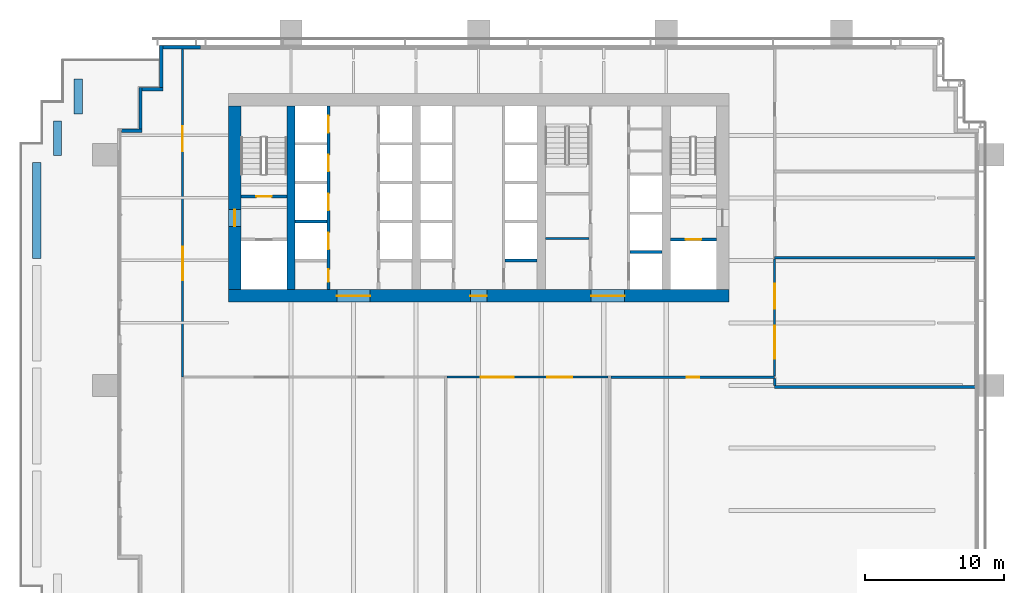
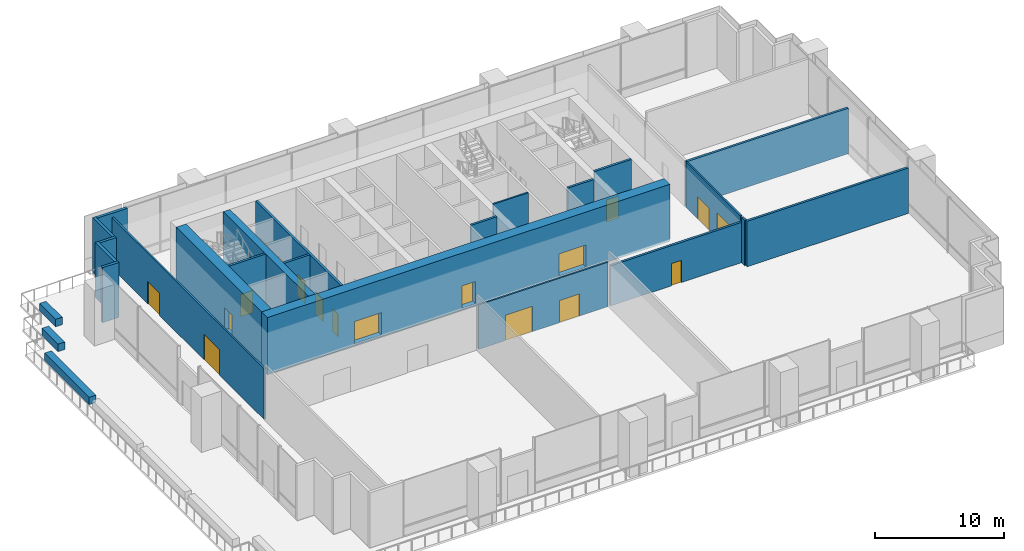
# One storey, part 8 of 15: 25 walls, 15 doors, 3 windows, 18 openings.
"""IFC4 building model written with IfcOpenShell, lengths in metres."""

from ifc_helpers import new_model, si_unit, direction, frame, frame_2d, origin, place, context, subcontext, project, spatial, rectangle, extrude, material, layer, layer_set, type_object, element, fill, save


model = new_model("IFC4")

# Units and contexts
model_context = context("Model", 3, precision=1e-05, world=origin(), true_north=direction((0.0, 1.0)))
body_context = subcontext(model_context, "Body", "Model", "MODEL_VIEW")
ifc_project = project(units=[si_unit("LENGTHUNIT", "METRE"), si_unit("AREAUNIT", "SQUARE_METRE"), si_unit("VOLUMEUNIT", "CUBIC_METRE"), si_unit("PLANEANGLEUNIT", "RADIAN"), si_unit("MASSUNIT", "GRAM", prefix="KILO")], contexts=[model_context])

# Site, building, storey
site_placement = place(None, origin())
site = spatial("IfcSite", under=ifc_project, at=site_placement, CompositionType="ELEMENT")
building_placement = place(site_placement, origin())
building = spatial("IfcBuilding", under=site, at=building_placement, Name="Rattan Terrace Tower", CompositionType="ELEMENT")
storey_placement = place(building_placement, frame((0.0, 0.0, 74.300048828125)))
storey = spatial("IfcBuildingStorey", under=building, at=storey_placement, Name="L16", CompositionType="ELEMENT", Elevation=74.300048828125)

# Wall
ifc_material_1 = material(Name="Gypsum board partition")
ifc_layer_1 = layer(ifc_material_1, 0.14990234375)
ifc_layer_set_1 = layer_set([ifc_layer_1], Name="Core partition 150")
wall_type_1 = type_object("IfcWallType", Name="Core partition 150", PredefinedType="PARTITIONING", material=ifc_layer_set_1)
wall_1_placement = place(storey_placement, frame((4.800048828125, -2.927978515625, 0.0), z_axis=(0.0, 0.0, 1.0), x_axis=(1.0, 0.0, 0.0)))
element("IfcWall", 1, at=wall_1_placement, inside=storey, type_object=wall_type_1, Name="Toilet wall", PredefinedType="PARTITIONING", context=body_context, shape_type="SweptSolid", body=[
    extrude(rectangle(XDim=3.14990234375, YDim=0.14990234375, at=frame_2d((1.574951171875, 0.0))), origin(), (0.0, 0.0, 1.0), 5.199951171875),
])

# Wall, opening, door
ifc_material_2 = material(Name="Gypsum board partition")
ifc_layer_2 = layer(ifc_material_2, 0.199951171875)
ifc_layer_set_2 = layer_set([ifc_layer_2], Name="Core partition 200")
wall_type_2 = type_object("IfcWallType", Name="Core partition 200", PredefinedType="PARTITIONING", material=ifc_layer_set_2)
wall_2_placement = place(storey_placement, frame((-17.10009765625, 0.10009765625, 0.0), z_axis=(0.0, 0.0, 1.0), x_axis=(1.0, 0.0, 0.0)))
wall_2 = element("IfcWall", 2, at=wall_2_placement, inside=storey, type_object=wall_type_2, Name="Stair enclosure wall", PredefinedType="PARTITIONING", context=body_context, shape_type="SweptSolid", body=[
    extrude(rectangle(XDim=3.300048828125, YDim=0.199951171875, at=frame_2d((1.64990234375, 0.0))), origin(), (0.0, 0.0, 1.0), 5.199951171875),
])
opening_1_placement = place(wall_2_placement, frame((1.10009765625, 0.0, 0.0)))
opening_1 = element("IfcOpeningElement", 3, at=opening_1_placement, cuts=wall_2, Name="Opening L16-D002", PredefinedType="OPENING", context=body_context, shape_type="SweptSolid", body=[
    extrude(rectangle(XDim=1.10009765625, YDim=2.10009765625, at=frame_2d((0.550048828125, 1.050048828125))), frame((0.0, 0.110595703125, 0.0), z_axis=(0.0, -1.0, 0.0), x_axis=(1.0, 0.0, 0.0)), (0.0, 0.0, 1.0), 0.220947265625),
])
ifc_material_3 = material(Name="Hollow-metal fire door leaf")
door_type_1 = type_object("IfcDoorType", Name="Core stair door 1100", OperationType="NOTDEFINED", PredefinedType="DOOR", material=ifc_material_3)
door_1_placement = place(opening_1_placement, origin())
door_1 = element("IfcDoor", 4, at=door_1_placement, inside=storey, type_object=door_type_1, Name="Door L16-D002", OperationType="SINGLE_SWING_RIGHT", OverallHeight=2.10009765625, OverallWidth=1.10009765625, PredefinedType="DOOR", context=body_context, shape_type="SweptSolid", body=[
    extrude(rectangle(XDim=1.10009765625, YDim=2.10009765625, at=frame_2d((0.550048828125, 1.050048828125))), frame((0.0, 0.02490234375, 0.0), z_axis=(0.0, -1.0, 0.0), x_axis=(1.0, 0.0, 0.0)), (0.0, 0.0, 1.0), 0.050048828125),
])
fill(opening_1, door_1)

wall_3_placement = place(storey_placement, frame((13.800048828125, -3.0, 0.0), z_axis=(0.0, 0.0, 1.0), x_axis=(1.0, 0.0, 0.0)))
wall_3 = element("IfcWall", 5, at=wall_3_placement, inside=storey, type_object=wall_type_2, Name="Fire-fighting lobby wall", PredefinedType="PARTITIONING", context=body_context, shape_type="SweptSolid", body=[
    extrude(rectangle(XDim=3.300048828125, YDim=0.199951171875, at=frame_2d((1.64990234375, 0.0))), origin(), (0.0, 0.0, 1.0), 5.199951171875),
])
opening_2_placement = place(wall_3_placement, frame((1.10009765625, 0.0, 0.0)))
opening_2 = element("IfcOpeningElement", 6, at=opening_2_placement, cuts=wall_3, Name="Opening L16-LD-FF2", PredefinedType="OPENING", context=body_context, shape_type="SweptSolid", body=[
    extrude(rectangle(XDim=1.10009765625, YDim=2.10009765625, at=frame_2d((0.550048828125, 1.050048828125))), frame((0.0, 0.110595703125, 0.0), z_axis=(0.0, -1.0, 0.0), x_axis=(1.0, 0.0, 0.0)), (0.0, 0.0, 1.0), 0.220947265625),
])
ifc_material_4 = material(Name="Brushed stainless landing door panel")
door_type_2 = type_object("IfcDoorType", Name="Core lift landing door 1100", OperationType="DOUBLE_DOOR_SLIDING", PredefinedType="DOOR", material=ifc_material_4)
door_2_placement = place(opening_2_placement, origin())
door_2 = element("IfcDoor", 7, at=door_2_placement, inside=storey, type_object=door_type_2, Name="Door L16-LD-FF2", OperationType="DOUBLE_DOOR_SLIDING", OverallHeight=2.10009765625, OverallWidth=1.10009765625, PredefinedType="DOOR", context=body_context, shape_type="SweptSolid", body=[
    extrude(rectangle(XDim=1.10009765625, YDim=2.10009765625, at=frame_2d((0.550048828125, 1.050048828125))), frame((0.0, 0.02490234375, 0.0), z_axis=(0.0, -1.0, 0.0), x_axis=(1.0, 0.0, 0.0)), (0.0, 0.0, 1.0), 0.050048828125),
])
fill(opening_2, door_2)

# Wall, openings, doors
ifc_material_5 = material(Name="Concrete C70/85", Category="concrete")
ifc_layer_3 = layer(ifc_material_5, 0.89990234375)
ifc_layer_set_3 = layer_set([ifc_layer_3], Name="Core ring wall 900 C70/85")
wall_type_3 = type_object("IfcWallType", Name="Core ring wall 900 C70/85", PredefinedType="SHEAR", material=ifc_layer_set_3)
wall_4_placement = place(storey_placement, frame((-18.0, -7.050048828125, -0.199951171875), z_axis=(0.0, 0.0, 1.0), x_axis=(1.0, 0.0, 0.0)))
wall_4 = element("IfcWall", 8, at=wall_4_placement, inside=storey, type_object=wall_type_3, Name="Rear core wall south", PredefinedType="SHEAR", context=body_context, shape_type="SweptSolid", body=[
    extrude(rectangle(XDim=36.0, YDim=0.89990234375, at=frame_2d((18.0, 0.0))), origin(), (0.0, 0.0, 1.0), 5.39990234375),
])
opening_3_placement = place(wall_4_placement, frame((7.800048828125, 0.0, 0.199951171875)))
opening_3 = element("IfcOpeningElement", 9, at=opening_3_placement, cuts=wall_4, Name="Opening L16-D007", PredefinedType="OPENING", context=body_context, shape_type="SweptSolid", body=[
    extrude(rectangle(XDim=2.39990234375, YDim=2.10009765625, at=frame_2d((1.199951171875, 1.050048828125))), frame((0.0, 0.46044921875, 0.0), z_axis=(0.0, -1.0, 0.0), x_axis=(1.0, 0.0, 0.0)), (0.0, 0.0, 1.0), 0.9208984375),
])
opening_4_placement = place(wall_4_placement, frame((17.39990234375, 0.0, 0.199951171875)))
opening_4 = element("IfcOpeningElement", 10, at=opening_4_placement, cuts=wall_4, Name="Opening L16-D010", PredefinedType="OPENING", context=body_context, shape_type="SweptSolid", body=[
    extrude(rectangle(XDim=1.199951171875, YDim=2.10009765625, at=frame_2d((0.60009765625, 1.050048828125))), frame((0.0, 0.46044921875, 0.0), z_axis=(0.0, -1.0, 0.0), x_axis=(1.0, 0.0, 0.0)), (0.0, 0.0, 1.0), 0.9208984375),
])
opening_5_placement = place(wall_4_placement, frame((26.10009765625, 0.0, 0.199951171875)))
opening_5 = element("IfcOpeningElement", 11, at=opening_5_placement, cuts=wall_4, Name="Opening L16-D014", PredefinedType="OPENING", context=body_context, shape_type="SweptSolid", body=[
    extrude(rectangle(XDim=2.39990234375, YDim=2.10009765625, at=frame_2d((1.199951171875, 1.050048828125))), frame((0.0, 0.46044921875, 0.0), z_axis=(0.0, -1.0, 0.0), x_axis=(1.0, 0.0, 0.0)), (0.0, 0.0, 1.0), 0.9208984375),
])
ifc_material_6 = material(Name="Hollow-metal fire door leaf")
door_type_3 = type_object("IfcDoorType", Name="Core lift lobby door 2400", OperationType="NOTDEFINED", PredefinedType="DOOR", material=ifc_material_6)
door_3_placement = place(opening_3_placement, origin())
door_3 = element("IfcDoor", 12, at=door_3_placement, inside=storey, type_object=door_type_3, Name="Door L16-D007", OperationType="DOUBLE_DOOR_DOUBLE_SWING", OverallHeight=2.10009765625, OverallWidth=2.39990234375, PredefinedType="DOOR", context=body_context, shape_type="SweptSolid", body=[
    extrude(rectangle(XDim=2.39990234375, YDim=2.10009765625, at=frame_2d((1.199951171875, 1.050048828125))), frame((0.0, 0.02490234375, 0.0), z_axis=(0.0, -1.0, 0.0), x_axis=(1.0, 0.0, 0.0)), (0.0, 0.0, 1.0), 0.050048828125),
])
fill(opening_3, door_3)
door_4_placement = place(opening_5_placement, origin())
door_4 = element("IfcDoor", 13, at=door_4_placement, inside=storey, type_object=door_type_3, Name="Door L16-D014", OperationType="DOUBLE_DOOR_DOUBLE_SWING", OverallHeight=2.10009765625, OverallWidth=2.39990234375, PredefinedType="DOOR", context=body_context, shape_type="SweptSolid", body=[
    extrude(rectangle(XDim=2.39990234375, YDim=2.10009765625, at=frame_2d((1.199951171875, 1.050048828125))), frame((0.0, 0.02490234375, 0.0), z_axis=(0.0, -1.0, 0.0), x_axis=(1.0, 0.0, 0.0)), (0.0, 0.0, 1.0), 0.050048828125),
])
fill(opening_5, door_4)
ifc_material_7 = material(Name="Hollow-metal fire door leaf")
door_type_4 = type_object("IfcDoorType", Name="Core riser door 1200", OperationType="NOTDEFINED", PredefinedType="DOOR", material=ifc_material_7)
door_5_placement = place(opening_4_placement, origin())
door_5 = element("IfcDoor", 14, at=door_5_placement, inside=storey, type_object=door_type_4, Name="Door L16-D010", OperationType="SINGLE_SWING_LEFT", OverallHeight=2.10009765625, OverallWidth=1.199951171875, PredefinedType="DOOR", context=body_context, shape_type="SweptSolid", body=[
    extrude(rectangle(XDim=1.199951171875, YDim=2.10009765625, at=frame_2d((0.60009765625, 1.050048828125))), frame((0.0, 0.02490234375, 0.0), z_axis=(0.0, -1.0, 0.0), x_axis=(1.0, 0.0, 0.0)), (0.0, 0.0, 1.0), 0.050048828125),
])
fill(opening_4, door_5)

# Wall, opening, door
wall_5_placement = place(storey_placement, frame((-17.550048828125, -6.60009765625, -0.199951171875), z_axis=(0.0, 0.0, 1.0), x_axis=(0.0, 1.0, 0.0)))
wall_5 = element("IfcWall", 15, at=wall_5_placement, inside=storey, type_object=wall_type_3, Name="Rear core wall west", PredefinedType="SHEAR", context=body_context, shape_type="SweptSolid", body=[
    extrude(rectangle(XDim=13.2001953125, YDim=0.89990234375, at=frame_2d((6.60009765625, 0.0))), origin(), (0.0, 0.0, 1.0), 5.39990234375),
])
opening_6_placement = place(wall_5_placement, frame((4.550048828125, 0.0, 0.199951171875)))
opening_6 = element("IfcOpeningElement", 16, at=opening_6_placement, cuts=wall_5, Name="Opening L16-D001", PredefinedType="OPENING", context=body_context, shape_type="SweptSolid", body=[
    extrude(rectangle(XDim=1.199951171875, YDim=2.10009765625, at=frame_2d((0.60009765625, 1.050048828125))), frame((0.0, 0.46044921875, 0.0), z_axis=(0.0, -1.0, 0.0), x_axis=(1.0, 0.0, 0.0)), (0.0, 0.0, 1.0), 0.9208984375),
])
ifc_material_8 = material(Name="Hollow-metal fire door leaf")
door_type_5 = type_object("IfcDoorType", Name="Core fire-fighting lobby door 1200", OperationType="NOTDEFINED", PredefinedType="DOOR", material=ifc_material_8)
door_6_placement = place(opening_6_placement, origin())
door_6 = element("IfcDoor", 17, at=door_6_placement, inside=storey, type_object=door_type_5, Name="Door L16-D001", OperationType="SINGLE_SWING_LEFT", OverallHeight=2.10009765625, OverallWidth=1.199951171875, PredefinedType="DOOR", context=body_context, shape_type="SweptSolid", body=[
    extrude(rectangle(XDim=1.199951171875, YDim=2.10009765625, at=frame_2d((0.60009765625, 1.050048828125))), frame((0.0, 0.02490234375, 0.0), z_axis=(0.0, -1.0, 0.0), x_axis=(1.0, 0.0, 0.0)), (0.0, 0.0, 1.0), 0.050048828125),
])
fill(opening_6, door_6)

# Walls
ifc_material_9 = material(Name="Concrete C70/85", Category="concrete")
ifc_layer_4 = layer(ifc_material_9, 0.60009765625)
ifc_layer_set_4 = layer_set([ifc_layer_4], Name="Core spine wall 600 C70/85")
wall_type_4 = type_object("IfcWallType", Name="Core spine wall 600 C70/85", PredefinedType="SHEAR", material=ifc_layer_set_4)
wall_6_placement = place(storey_placement, frame((-13.5, -6.60009765625, -0.199951171875), z_axis=(0.0, 0.0, 1.0), x_axis=(0.0, 1.0, 0.0)))
element("IfcWall", 18, at=wall_6_placement, inside=storey, type_object=wall_type_4, Name="Core spine wall 1", PredefinedType="SHEAR", context=body_context, shape_type="SweptSolid", body=[
    extrude(rectangle(XDim=13.2001953125, YDim=0.60009765625, at=frame_2d((6.60009765625, 0.0))), origin(), (0.0, 0.0, 1.0), 5.39990234375),
])
ifc_material_10 = material(Name="Precast concrete C30/37", Category="concrete")
ifc_layer_5 = layer(ifc_material_10, 0.60009765625)
ifc_layer_set_5 = layer_set([ifc_layer_5], Name="Facade Planter Wall 600")
wall_type_5 = type_object("IfcWallType", Name="Facade Planter Wall 600", PredefinedType="SOLIDWALL", material=ifc_layer_set_5)
wall_7_placement = place(storey_placement, frame((-31.800048828125, -4.35009765625, 0.0), z_axis=(0.0, 0.0, 1.0), x_axis=(0.0, 1.0, 0.0)))
element("IfcWall", 19, at=wall_7_placement, inside=storey, type_object=wall_type_5, Name="PLANTER bed L16-6", PredefinedType="SOLIDWALL", context=body_context, shape_type="SweptSolid", body=[
    extrude(rectangle(XDim=6.900146484375, YDim=0.60009765625, at=frame_2d((3.4501953125, 0.0))), origin(), (0.0, 0.0, 1.0), 0.699951171875),
])
for number, where, z_axis, x_axis, name in (
    (20, (-30.300048828125, 3.050048828125, 0.0), (0.0, 0.0, 1.0), (0.0, 1.0, 0.0), "PLANTER bed L16-7"),
    (21, (-28.800048828125, 6.050048828125, 0.0), (0.0, 0.0, 1.0), (0.0, 1.0, 0.0), "PLANTER bed L16-8"),
):
    element("IfcWall", number, at=place(storey_placement, frame(where, z_axis=z_axis, x_axis=x_axis)), inside=storey, type_object=wall_type_5, Name=name, PredefinedType="SOLIDWALL", context=body_context, shape_type="SweptSolid", body=[
        extrude(rectangle(XDim=2.5, YDim=0.60009765625, at=frame_2d((1.25, 0.0))), origin(), (0.0, 0.0, 1.0), 0.699951171875),
    ])
ifc_material_11 = material(Name="Insulated aluminium-clad stud wall", Category="aluminium")
ifc_layer_6 = layer(ifc_material_11, 0.25)
ifc_layer_set_6 = layer_set([ifc_layer_6], Name="Facade Riser Wall 250")
wall_type_6 = type_object("IfcWallType", Name="Facade Riser Wall 250", PredefinedType="SOLIDWALL", material=ifc_layer_set_6)
wall_8_placement = place(storey_placement, frame((-20.0, 10.830078125, 0.0), z_axis=(0.0, 0.0, 1.0), x_axis=(-1.0, 0.0, 0.0)))
element("IfcWall", 22, at=wall_8_placement, inside=storey, type_object=wall_type_6, Name="Riser wall L16-11", PredefinedType="SOLIDWALL", context=body_context, shape_type="SweptSolid", body=[
    extrude(rectangle(XDim=2.705078125, YDim=0.25, at=frame_2d((1.3525390625, 0.0))), origin(), (0.0, 0.0, 1.0), 5.199951171875),
])
wall_9_placement = place(storey_placement, frame((-22.830078125, 10.955078125, 0.0), z_axis=(0.0, 0.0, 1.0), x_axis=(0.0, -1.0, 0.0)))
element("IfcWall", 23, at=wall_9_placement, inside=storey, type_object=wall_type_6, Name="Riser wall L16-12", PredefinedType="SOLIDWALL", context=body_context, shape_type="SweptSolid", body=[
    extrude(rectangle(XDim=3.0, YDim=0.25, at=frame_2d((1.5, 0.0))), origin(), (0.0, 0.0, 1.0), 5.199951171875),
])
wall_10_placement = place(storey_placement, frame((-22.705078125, 7.830078125, 0.0), z_axis=(0.0, 0.0, 1.0), x_axis=(-1.0, 0.0, 0.0)))
element("IfcWall", 24, at=wall_10_placement, inside=storey, type_object=wall_type_6, Name="Riser wall L16-13", PredefinedType="SOLIDWALL", context=body_context, shape_type="SweptSolid", body=[
    extrude(rectangle(XDim=1.5, YDim=0.25, at=frame_2d((0.75, 0.0))), origin(), (0.0, 0.0, 1.0), 5.199951171875),
])
wall_11_placement = place(storey_placement, frame((-24.330078125, 7.955078125, 0.0), z_axis=(0.0, 0.0, 1.0), x_axis=(0.0, -1.0, 0.0)))
element("IfcWall", 25, at=wall_11_placement, inside=storey, type_object=wall_type_6, Name="Riser wall L16-14", PredefinedType="SOLIDWALL", context=body_context, shape_type="SweptSolid", body=[
    extrude(rectangle(XDim=3.0, YDim=0.25, at=frame_2d((1.5, 0.0))), origin(), (0.0, 0.0, 1.0), 5.199951171875),
])
wall_12_placement = place(storey_placement, frame((-24.205078125, 4.830078125, 0.0), z_axis=(0.0, 0.0, 1.0), x_axis=(-1.0, 0.0, 0.0)))
element("IfcWall", 26, at=wall_12_placement, inside=storey, type_object=wall_type_6, Name="Riser wall L16-15", PredefinedType="SOLIDWALL", context=body_context, shape_type="SweptSolid", body=[
    extrude(rectangle(XDim=1.474853515625, YDim=0.25, at=frame_2d((0.7373046875, 0.0))), origin(), (0.0, 0.0, 1.0), 5.199951171875),
])

# Wall, opening, door
ifc_material_12 = material(Name="Concrete block wall, plastered", Category="concrete")
ifc_layer_7 = layer(ifc_material_12, 0.199951171875)
ifc_layer_set_7 = layer_set([ifc_layer_7], Name="Floors Plant Wall 200")
wall_type_7 = type_object("IfcWallType", Name="Floors Plant Wall 200", PredefinedType="PARTITIONING", material=ifc_layer_set_7)
wall_13_placement = place(storey_placement, frame((21.300048828125, -12.89990234375, 0.0), z_axis=(0.0, 0.0, 1.0), x_axis=(-1.0, 0.0, 0.0)))
wall_13 = element("IfcWall", 27, at=wall_13_placement, inside=storey, type_object=wall_type_7, Name="pt-L16-004", PredefinedType="PARTITIONING", context=body_context, shape_type="SweptSolid", body=[
    extrude(rectangle(XDim=11.7880859375, YDim=0.199951171875, at=frame_2d((5.89404296875, 0.0))), origin(), (0.0, 0.0, 1.0), 3.800048828125),
])
opening_7_placement = place(wall_13_placement, frame((5.444091796875, 0.0, 0.0)))
opening_7 = element("IfcOpeningElement", 28, at=opening_7_placement, cuts=wall_13, Name="Opening L16-D103", PredefinedType="OPENING", context=body_context, shape_type="SweptSolid", body=[
    extrude(rectangle(XDim=0.89990234375, YDim=2.10009765625, at=frame_2d((0.449951171875, 1.050048828125))), frame((0.0, 0.110595703125, 0.0), z_axis=(0.0, -1.0, 0.0), x_axis=(1.0, 0.0, 0.0)), (0.0, 0.0, 1.0), 0.220947265625),
])
ifc_material_13 = material(Name="Steel fire door set", Category="steel")
door_type_6 = type_object("IfcDoorType", Name="Floors Fire Door FD60 900x2100", OperationType="NOTDEFINED", PredefinedType="DOOR", material=ifc_material_13)
door_7_placement = place(opening_7_placement, origin())
door_7 = element("IfcDoor", 29, at=door_7_placement, inside=storey, type_object=door_type_6, Name="d-L16-103", OperationType="SINGLE_SWING_RIGHT", OverallHeight=2.10009765625, OverallWidth=0.89990234375, PredefinedType="DOOR", context=body_context, shape_type="SweptSolid", body=[
    extrude(rectangle(XDim=0.89990234375, YDim=2.10009765625, at=frame_2d((0.449951171875, 1.050048828125))), frame((0.0, 0.02490234375, 0.0), z_axis=(0.0, -1.0, 0.0), x_axis=(1.0, 0.0, 0.0)), (0.0, 0.0, 1.0), 0.050048828125),
])
fill(opening_7, door_7)

# Walls
wall_14_placement = place(storey_placement, frame((21.300048828125, -13.0, 0.0), z_axis=(0.0, 0.0, 1.0), x_axis=(0.0, -1.0, 0.0)))
element("IfcWall", 30, at=wall_14_placement, inside=storey, type_object=wall_type_7, Name="pt-L16-011", PredefinedType="PARTITIONING", context=body_context, shape_type="SweptSolid", body=[
    extrude(rectangle(XDim=0.5, YDim=0.199951171875, at=frame_2d((0.25, 0.0))), origin(), (0.0, 0.0, 1.0), 4.300048828125),
])
for number, where, z_axis, x_axis, name in (
    (31, (21.300048828125, -13.60009765625, 0.0), (0.0, 0.0, 1.0), (1.0, 0.0, 0.0), "pt-L16-012"),
    (32, (21.300048828125, -4.300048828125, 0.0), (0.0, 0.0, 1.0), (1.0, 0.0, 0.0), "pt-L16-013"),
):
    element("IfcWall", number, at=place(storey_placement, frame(where, z_axis=z_axis, x_axis=x_axis)), inside=storey, type_object=wall_type_7, Name=name, PredefinedType="PARTITIONING", context=body_context, shape_type="SweptSolid", body=[
        extrude(rectangle(XDim=14.43994140625, YDim=0.199951171875, at=frame_2d((7.219970703125, 0.0))), origin(), (0.0, 0.0, 1.0), 4.300048828125),
    ])

# Wall, openings, door, window
ifc_material_14 = material(Name="Gypsum board partition on steel studs, fire rated", Category="steel")
ifc_layer_8 = layer(ifc_material_14, 0.14990234375)
ifc_layer_set_8 = layer_set([ifc_layer_8], Name="Floors Tenancy Wall 150")
wall_type_8 = type_object("IfcWallType", Name="Floors Tenancy Wall 150", PredefinedType="PARTITIONING", material=ifc_layer_set_8)
wall_15_placement = place(storey_placement, frame((-21.300048828125, -12.8798828125, 0.0), z_axis=(0.0, 0.0, 1.0), x_axis=(0.0, 1.0, 0.0)))
wall_15 = element("IfcWall", 33, at=wall_15_placement, inside=storey, type_object=wall_type_8, Name="pt-L16-001", PredefinedType="PARTITIONING", context=body_context, shape_type="SweptSolid", body=[
    extrude(rectangle(XDim=23.619873046875, YDim=0.14990234375, at=frame_2d((11.81005859375, 0.0))), origin(), (0.0, 0.0, 1.0), 4.800048828125),
])
opening_8_placement = place(wall_15_placement, frame((16.239990234375, 0.0, 0.0)))
opening_8 = element("IfcOpeningElement", 34, at=opening_8_placement, cuts=wall_15, Name="Opening L16-D100", PredefinedType="OPENING", context=body_context, shape_type="SweptSolid", body=[
    extrude(rectangle(XDim=1.800048828125, YDim=2.10009765625, at=frame_2d((0.89990234375, 1.050048828125))), frame((0.0, 0.08544921875, 0.0), z_axis=(0.0, -1.0, 0.0), x_axis=(1.0, 0.0, 0.0)), (0.0, 0.0, 1.0), 0.1708984375),
])
opening_9_placement = place(wall_15_placement, frame((6.947998046875, 0.0, 0.0)))
opening_9 = element("IfcOpeningElement", 35, at=opening_9_placement, cuts=wall_15, Name="Opening L16-W100", PredefinedType="OPENING", context=body_context, shape_type="SweptSolid", body=[
    extrude(rectangle(XDim=2.39990234375, YDim=2.39990234375, at=frame_2d((1.199951171875, 1.199951171875))), frame((0.0, 0.08544921875, 0.0), z_axis=(0.0, -1.0, 0.0), x_axis=(1.0, 0.0, 0.0)), (0.0, 0.0, 1.0), 0.1708984375),
])
ifc_material_15 = material(Name="Steel fire door set", Category="steel")
door_type_7 = type_object("IfcDoorType", Name="Floors Fire Door Pair FD30S 1800x2100", OperationType="NOTDEFINED", PredefinedType="DOOR", material=ifc_material_15)
door_8_placement = place(opening_8_placement, origin())
door_8 = element("IfcDoor", 36, at=door_8_placement, inside=storey, type_object=door_type_7, Name="d-L16-100", OperationType="DOUBLE_DOOR_SINGLE_SWING", OverallHeight=2.10009765625, OverallWidth=1.800048828125, PredefinedType="DOOR", context=body_context, shape_type="SweptSolid", body=[
    extrude(rectangle(XDim=1.800048828125, YDim=2.10009765625, at=frame_2d((0.89990234375, 1.050048828125))), frame((0.0, 0.02490234375, 0.0), z_axis=(0.0, -1.0, 0.0), x_axis=(1.0, 0.0, 0.0)), (0.0, 0.0, 1.0), 0.050048828125),
])
fill(opening_8, door_8)
ifc_material_16 = material(Name="Glass, clear, fixed in aluminium frame", Category="aluminium")
window_type = type_object("IfcWindowType", Name="Interior Glazed Screen 2400x2400", PartitioningType="SINGLE_PANEL", PredefinedType="WINDOW", material=ifc_material_16)
window_1_placement = place(opening_9_placement, origin())
window_1 = element("IfcWindow", 37, at=window_1_placement, inside=storey, type_object=window_type, Name="w-L16-100", OverallHeight=2.39990234375, OverallWidth=2.39990234375, PartitioningType="SINGLE_PANEL", PredefinedType="WINDOW", context=body_context, shape_type="SweptSolid", body=[
    extrude(rectangle(XDim=2.39990234375, YDim=2.39990234375, at=frame_2d((1.199951171875, 1.199951171875))), frame((0.0, 0.030029296875, 0.0), z_axis=(0.0, -1.0, 0.0), x_axis=(1.0, 0.0, 0.0)), (0.0, 0.0, 1.0), 0.06005859375),
])
fill(opening_9, window_1)

wall_16_placement = place(storey_placement, frame((9.31201171875, -12.89990234375, 0.0), z_axis=(0.0, 0.0, 1.0), x_axis=(-1.0, 0.0, 0.0)))
wall_16 = element("IfcWall", 38, at=wall_16_placement, inside=storey, type_object=wall_type_8, Name="pt-L16-002", PredefinedType="PARTITIONING", context=body_context, shape_type="SweptSolid", body=[
    extrude(rectangle(XDim=11.574951171875, YDim=0.14990234375, at=frame_2d((5.78759765625, 0.0))), origin(), (0.0, 0.0, 1.0), 4.199951171875),
])
opening_10_placement = place(wall_16_placement, frame((2.569091796875, 0.0, 0.0)))
opening_10 = element("IfcOpeningElement", 39, at=opening_10_placement, cuts=wall_16, Name="Opening L16-D101", PredefinedType="OPENING", context=body_context, shape_type="SweptSolid", body=[
    extrude(rectangle(XDim=1.800048828125, YDim=2.10009765625, at=frame_2d((0.89990234375, 1.050048828125))), frame((0.0, 0.08544921875, 0.0), z_axis=(0.0, -1.0, 0.0), x_axis=(1.0, 0.0, 0.0)), (0.0, 0.0, 1.0), 0.1708984375),
])
opening_11_placement = place(wall_16_placement, frame((6.77197265625, 0.0, 0.0)))
opening_11 = element("IfcOpeningElement", 40, at=opening_11_placement, cuts=wall_16, Name="Opening L16-W101", PredefinedType="OPENING", context=body_context, shape_type="SweptSolid", body=[
    extrude(rectangle(XDim=2.39990234375, YDim=2.39990234375, at=frame_2d((1.199951171875, 1.199951171875))), frame((0.0, 0.08544921875, 0.0), z_axis=(0.0, -1.0, 0.0), x_axis=(1.0, 0.0, 0.0)), (0.0, 0.0, 1.0), 0.1708984375),
])
door_9_placement = place(opening_10_placement, origin())
door_9 = element("IfcDoor", 41, at=door_9_placement, inside=storey, type_object=door_type_7, Name="d-L16-101", OperationType="DOUBLE_DOOR_SINGLE_SWING", OverallHeight=2.10009765625, OverallWidth=1.800048828125, PredefinedType="DOOR", context=body_context, shape_type="SweptSolid", body=[
    extrude(rectangle(XDim=1.800048828125, YDim=2.10009765625, at=frame_2d((0.89990234375, 1.050048828125))), frame((0.0, 0.02490234375, 0.0), z_axis=(0.0, -1.0, 0.0), x_axis=(1.0, 0.0, 0.0)), (0.0, 0.0, 1.0), 0.050048828125),
])
fill(opening_10, door_9)
window_2_placement = place(opening_11_placement, origin())
window_2 = element("IfcWindow", 42, at=window_2_placement, inside=storey, type_object=window_type, Name="w-L16-101", OverallHeight=2.39990234375, OverallWidth=2.39990234375, PartitioningType="SINGLE_PANEL", PredefinedType="WINDOW", context=body_context, shape_type="SweptSolid", body=[
    extrude(rectangle(XDim=2.39990234375, YDim=2.39990234375, at=frame_2d((1.199951171875, 1.199951171875))), frame((0.0, 0.030029296875, 0.0), z_axis=(0.0, -1.0, 0.0), x_axis=(1.0, 0.0, 0.0)), (0.0, 0.0, 1.0), 0.06005859375),
])
fill(opening_11, window_2)

wall_17_placement = place(storey_placement, frame((21.300048828125, -4.39990234375, 0.0), z_axis=(0.0, 0.0, 1.0), x_axis=(0.0, -1.0, 0.0)))
wall_17 = element("IfcWall", 43, at=wall_17_placement, inside=storey, type_object=wall_type_8, Name="pt-L16-005", PredefinedType="PARTITIONING", context=body_context, shape_type="SweptSolid", body=[
    extrude(rectangle(XDim=8.400146484375, YDim=0.14990234375, at=frame_2d((4.2001953125, 0.0))), origin(), (0.0, 0.0, 1.0), 4.300048828125),
])
opening_12_placement = place(wall_17_placement, frame((1.77490234375, 0.0, 0.0)))
opening_12 = element("IfcOpeningElement", 44, at=opening_12_placement, cuts=wall_17, Name="Opening L16-D104", PredefinedType="OPENING", context=body_context, shape_type="SweptSolid", body=[
    extrude(rectangle(XDim=1.800048828125, YDim=2.10009765625, at=frame_2d((0.89990234375, 1.050048828125))), frame((0.0, 0.08544921875, 0.0), z_axis=(0.0, -1.0, 0.0), x_axis=(1.0, 0.0, 0.0)), (0.0, 0.0, 1.0), 0.1708984375),
])
opening_13_placement = place(wall_17_placement, frame((4.787109375, 0.0, 0.0)))
opening_13 = element("IfcOpeningElement", 45, at=opening_13_placement, cuts=wall_17, Name="Opening L16-W103", PredefinedType="OPENING", context=body_context, shape_type="SweptSolid", body=[
    extrude(rectangle(XDim=2.39990234375, YDim=2.39990234375, at=frame_2d((1.199951171875, 1.199951171875))), frame((0.0, 0.08544921875, 0.0), z_axis=(0.0, -1.0, 0.0), x_axis=(1.0, 0.0, 0.0)), (0.0, 0.0, 1.0), 0.1708984375),
])
door_10_placement = place(opening_12_placement, origin())
door_10 = element("IfcDoor", 46, at=door_10_placement, inside=storey, type_object=door_type_7, Name="d-L16-104", OperationType="DOUBLE_DOOR_SINGLE_SWING", OverallHeight=2.10009765625, OverallWidth=1.800048828125, PredefinedType="DOOR", context=body_context, shape_type="SweptSolid", body=[
    extrude(rectangle(XDim=1.800048828125, YDim=2.10009765625, at=frame_2d((0.89990234375, 1.050048828125))), frame((0.0, 0.02490234375, 0.0), z_axis=(0.0, -1.0, 0.0), x_axis=(1.0, 0.0, 0.0)), (0.0, 0.0, 1.0), 0.050048828125),
])
fill(opening_12, door_10)
window_3_placement = place(opening_13_placement, origin())
window_3 = element("IfcWindow", 47, at=window_3_placement, inside=storey, type_object=window_type, Name="w-L16-103", OverallHeight=2.39990234375, OverallWidth=2.39990234375, PartitioningType="SINGLE_PANEL", PredefinedType="WINDOW", context=body_context, shape_type="SweptSolid", body=[
    extrude(rectangle(XDim=2.39990234375, YDim=2.39990234375, at=frame_2d((1.199951171875, 1.199951171875))), frame((0.0, 0.030029296875, 0.0), z_axis=(0.0, -1.0, 0.0), x_axis=(1.0, 0.0, 0.0)), (0.0, 0.0, 1.0), 0.06005859375),
])
fill(opening_13, window_3)

# Wall, openings, doors
ifc_material_17 = material(Name="Gypsum shaft wall system")
ifc_layer_9 = layer(ifc_material_17, 0.199951171875)
ifc_layer_set_9 = layer_set([ifc_layer_9], Name="Lift shaft wall 200")
wall_type_9 = type_object("IfcWallType", Name="Lift shaft wall 200", PredefinedType="PARTITIONING", material=ifc_layer_set_9)
wall_18_placement = place(storey_placement, frame((-10.800048828125, -6.60009765625, 0.0), z_axis=(0.0, 0.0, 1.0), x_axis=(0.0, 1.0, 0.0)))
wall_18 = element("IfcWall", 48, at=wall_18_placement, inside=storey, type_object=wall_type_9, Name="Lift shaft front wall", PredefinedType="PARTITIONING", context=body_context, shape_type="SweptSolid", body=[
    extrude(rectangle(XDim=13.2001953125, YDim=0.199951171875, at=frame_2d((6.60009765625, 0.0))), origin(), (0.0, 0.0, 1.0), 5.199951171875),
])
opening_14_placement = place(wall_18_placement, frame((0.550048828125, 0.0, 0.0)))
opening_14 = element("IfcOpeningElement", 49, at=opening_14_placement, cuts=wall_18, Name="Opening L16-D005", PredefinedType="OPENING", context=body_context, shape_type="SweptSolid", body=[
    extrude(rectangle(XDim=0.89990234375, YDim=2.10009765625, at=frame_2d((0.449951171875, 1.050048828125))), frame((0.0, 0.110595703125, 0.0), z_axis=(0.0, -1.0, 0.0), x_axis=(1.0, 0.0, 0.0)), (0.0, 0.0, 1.0), 0.220947265625),
])
opening_15_placement = place(wall_18_placement, frame((2.89990234375, 0.0, 0.0)))
opening_15 = element("IfcOpeningElement", 50, at=opening_15_placement, cuts=wall_18, Name="Opening L16-LD-LR1", PredefinedType="OPENING", context=body_context, shape_type="SweptSolid", body=[
    extrude(rectangle(XDim=1.199951171875, YDim=2.10009765625, at=frame_2d((0.60009765625, 1.050048828125))), frame((0.0, 0.110595703125, 0.0), z_axis=(0.0, -1.0, 0.0), x_axis=(1.0, 0.0, 0.0)), (0.0, 0.0, 1.0), 0.220947265625),
])
opening_16_placement = place(wall_18_placement, frame((5.699951171875, 0.0, 0.0)))
opening_16 = element("IfcOpeningElement", 51, at=opening_16_placement, cuts=wall_18, Name="Opening L16-LD-LR2", PredefinedType="OPENING", context=body_context, shape_type="SweptSolid", body=[
    extrude(rectangle(XDim=1.199951171875, YDim=2.10009765625, at=frame_2d((0.60009765625, 1.050048828125))), frame((0.0, 0.110595703125, 0.0), z_axis=(0.0, -1.0, 0.0), x_axis=(1.0, 0.0, 0.0)), (0.0, 0.0, 1.0), 0.220947265625),
])
opening_17_placement = place(wall_18_placement, frame((8.5, 0.0, 0.0)))
opening_17 = element("IfcOpeningElement", 52, at=opening_17_placement, cuts=wall_18, Name="Opening L16-LD-LR3", PredefinedType="OPENING", context=body_context, shape_type="SweptSolid", body=[
    extrude(rectangle(XDim=1.199951171875, YDim=2.10009765625, at=frame_2d((0.60009765625, 1.050048828125))), frame((0.0, 0.110595703125, 0.0), z_axis=(0.0, -1.0, 0.0), x_axis=(1.0, 0.0, 0.0)), (0.0, 0.0, 1.0), 0.220947265625),
])
opening_18_placement = place(wall_18_placement, frame((11.300048828125, 0.0, 0.0)))
opening_18 = element("IfcOpeningElement", 53, at=opening_18_placement, cuts=wall_18, Name="Opening L16-LD-LR4", PredefinedType="OPENING", context=body_context, shape_type="SweptSolid", body=[
    extrude(rectangle(XDim=1.199951171875, YDim=2.10009765625, at=frame_2d((0.60009765625, 1.050048828125))), frame((0.0, 0.110595703125, 0.0), z_axis=(0.0, -1.0, 0.0), x_axis=(1.0, 0.0, 0.0)), (0.0, 0.0, 1.0), 0.220947265625),
])
ifc_material_18 = material(Name="Brushed stainless landing door panel")
door_type_8 = type_object("IfcDoorType", Name="Core lift landing door 1200", OperationType="DOUBLE_DOOR_SLIDING", PredefinedType="DOOR", material=ifc_material_18)
door_11_placement = place(opening_15_placement, origin())
door_11 = element("IfcDoor", 54, at=door_11_placement, inside=storey, type_object=door_type_8, Name="Door L16-LD-LR1", OperationType="DOUBLE_DOOR_SLIDING", OverallHeight=2.10009765625, OverallWidth=1.199951171875, PredefinedType="DOOR", context=body_context, shape_type="SweptSolid", body=[
    extrude(rectangle(XDim=1.199951171875, YDim=2.10009765625, at=frame_2d((0.60009765625, 1.050048828125))), frame((0.0, 0.02490234375, 0.0), z_axis=(0.0, -1.0, 0.0), x_axis=(1.0, 0.0, 0.0)), (0.0, 0.0, 1.0), 0.050048828125),
])
fill(opening_15, door_11)
door_12_placement = place(opening_16_placement, origin())
door_12 = element("IfcDoor", 55, at=door_12_placement, inside=storey, type_object=door_type_8, Name="Door L16-LD-LR2", OperationType="DOUBLE_DOOR_SLIDING", OverallHeight=2.10009765625, OverallWidth=1.199951171875, PredefinedType="DOOR", context=body_context, shape_type="SweptSolid", body=[
    extrude(rectangle(XDim=1.199951171875, YDim=2.10009765625, at=frame_2d((0.60009765625, 1.050048828125))), frame((0.0, 0.02490234375, 0.0), z_axis=(0.0, -1.0, 0.0), x_axis=(1.0, 0.0, 0.0)), (0.0, 0.0, 1.0), 0.050048828125),
])
fill(opening_16, door_12)
door_13_placement = place(opening_17_placement, origin())
door_13 = element("IfcDoor", 56, at=door_13_placement, inside=storey, type_object=door_type_8, Name="Door L16-LD-LR3", OperationType="DOUBLE_DOOR_SLIDING", OverallHeight=2.10009765625, OverallWidth=1.199951171875, PredefinedType="DOOR", context=body_context, shape_type="SweptSolid", body=[
    extrude(rectangle(XDim=1.199951171875, YDim=2.10009765625, at=frame_2d((0.60009765625, 1.050048828125))), frame((0.0, 0.02490234375, 0.0), z_axis=(0.0, -1.0, 0.0), x_axis=(1.0, 0.0, 0.0)), (0.0, 0.0, 1.0), 0.050048828125),
])
fill(opening_17, door_13)
door_14_placement = place(opening_18_placement, origin())
door_14 = element("IfcDoor", 57, at=door_14_placement, inside=storey, type_object=door_type_8, Name="Door L16-LD-LR4", OperationType="DOUBLE_DOOR_SLIDING", OverallHeight=2.10009765625, OverallWidth=1.199951171875, PredefinedType="DOOR", context=body_context, shape_type="SweptSolid", body=[
    extrude(rectangle(XDim=1.199951171875, YDim=2.10009765625, at=frame_2d((0.60009765625, 1.050048828125))), frame((0.0, 0.02490234375, 0.0), z_axis=(0.0, -1.0, 0.0), x_axis=(1.0, 0.0, 0.0)), (0.0, 0.0, 1.0), 0.050048828125),
])
fill(opening_18, door_14)
ifc_material_19 = material(Name="Hollow-metal fire door leaf")
door_type_9 = type_object("IfcDoorType", Name="Core riser door 900", OperationType="NOTDEFINED", PredefinedType="DOOR", material=ifc_material_19)
door_15_placement = place(opening_14_placement, origin())
door_15 = element("IfcDoor", 58, at=door_15_placement, inside=storey, type_object=door_type_9, Name="Door L16-D005", OperationType="SINGLE_SWING_LEFT", OverallHeight=2.10009765625, OverallWidth=0.89990234375, PredefinedType="DOOR", context=body_context, shape_type="SweptSolid", body=[
    extrude(rectangle(XDim=0.89990234375, YDim=2.10009765625, at=frame_2d((0.449951171875, 1.050048828125))), frame((0.0, 0.02490234375, 0.0), z_axis=(0.0, -1.0, 0.0), x_axis=(1.0, 0.0, 0.0)), (0.0, 0.0, 1.0), 0.050048828125),
])
fill(opening_14, door_15)

# Walls
for number, where, z_axis, x_axis, name in (
    (59, (-13.199951171875, -1.699951171875, 0.0), (0.0, 0.0, 1.0), (1.0, 0.0, 0.0), "Lift shaft wall"),
    (60, (1.89990234375, -4.5, 0.0), (0.0, 0.0, 1.0), (1.0, 0.0, 0.0), "Lift shaft wall"),
    (61, (10.89990234375, -3.89990234375, 0.0), (0.0, 0.0, 1.0), (1.0, 0.0, 0.0), "Lift shaft wall"),
):
    element("IfcWall", number, at=place(storey_placement, frame(where, z_axis=z_axis, x_axis=x_axis)), inside=storey, type_object=wall_type_9, Name=name, PredefinedType="PARTITIONING", context=body_context, shape_type="SweptSolid", body=[
        extrude(rectangle(XDim=2.300048828125, YDim=0.199951171875, at=frame_2d((1.14990234375, 0.0))), origin(), (0.0, 0.0, 1.0), 5.199951171875),
    ])

save(model, "model.ifc")
